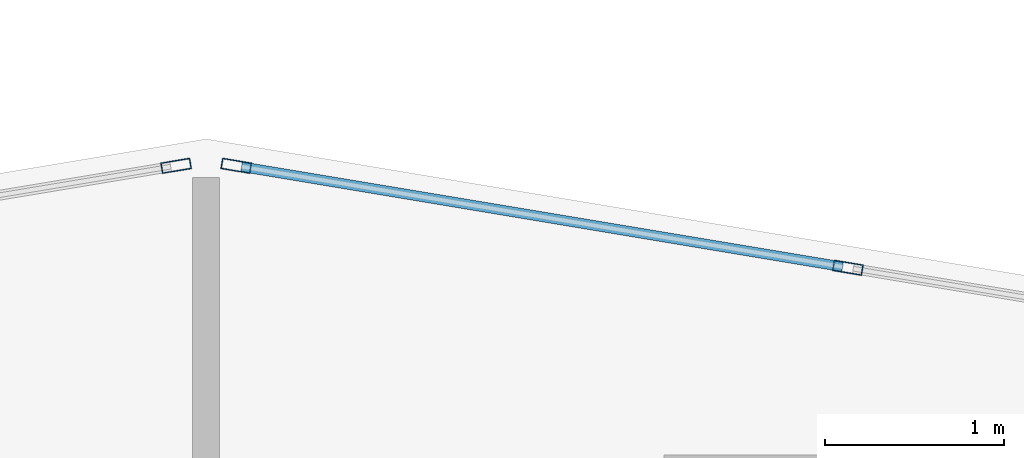
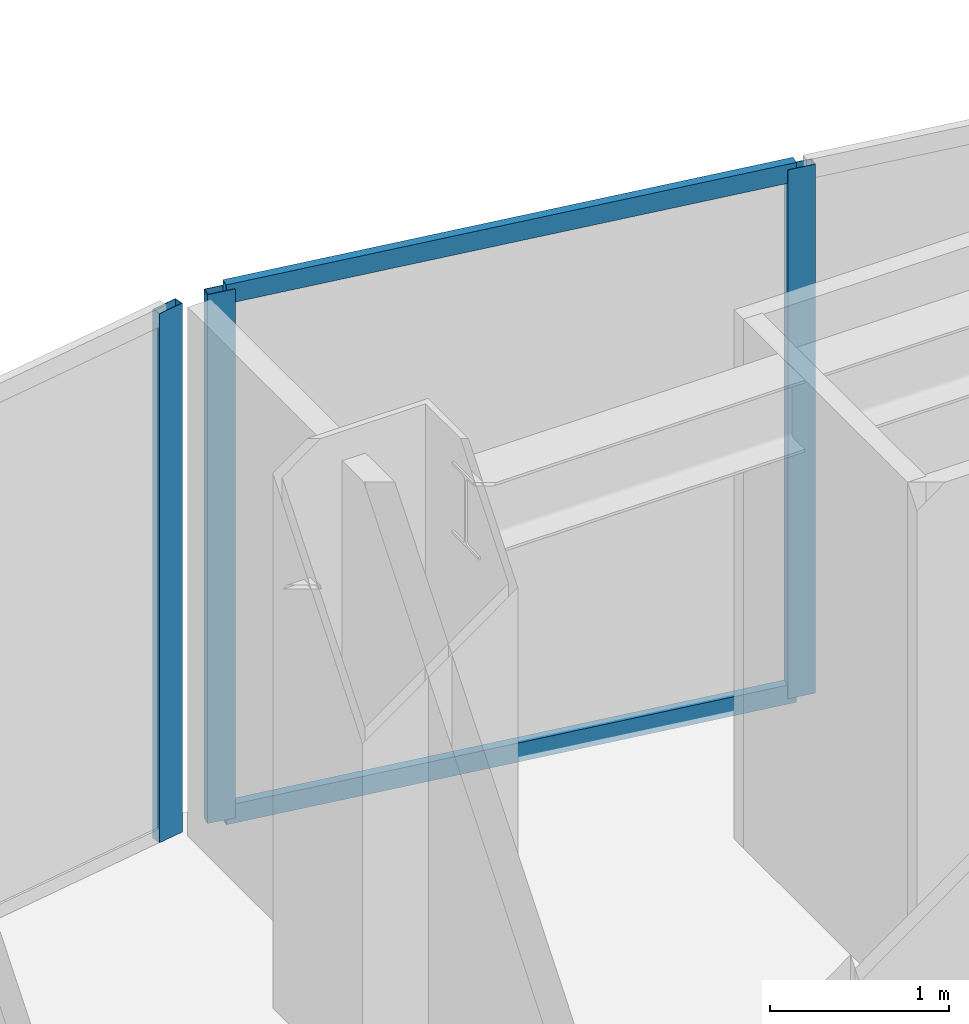
# One storey, part 4 of 20: 5 members, 2 elements without a shape of their own.
"""IFC4 building model written with IfcOpenShell, lengths in metres."""

from ifc_helpers import new_model, si_unit, direction, frame, origin, origin_2d, place, context, subcontext, project, spatial, hollow_rectangle, extrude, material, layer, layer_set, material_profile, profile_set, type_object, element, aggregate, save


model = new_model("IFC4")

# Units and contexts
model_context = context("Model", 3, precision=1e-05, world=origin(), true_north=direction((0.0, 1.0)))
body_context = subcontext(model_context, "Body", "Model", "MODEL_VIEW")
ifc_project = project(units=[si_unit("LENGTHUNIT", "METRE"), si_unit("AREAUNIT", "SQUARE_METRE"), si_unit("VOLUMEUNIT", "CUBIC_METRE"), si_unit("PLANEANGLEUNIT", "RADIAN"), si_unit("MASSUNIT", "GRAM", prefix="KILO")], contexts=[model_context])

# Site, building, storey
site_placement = place(None, origin())
site = spatial("IfcSite", under=ifc_project, at=site_placement, CompositionType="ELEMENT")
building_placement = place(site_placement, origin())
building = spatial("IfcBuilding", under=site, at=building_placement, Name="Haolan Belvedere Tower", CompositionType="ELEMENT")
storey_placement = place(building_placement, frame((0.0, 0.0, 24.0)))
storey = spatial("IfcBuildingStorey", under=building, at=storey_placement, Name="L05", CompositionType="ELEMENT", Elevation=24.0)

# Curtain wall, members
ifc_material_1 = material(Name="Anodised champagne-silver aluminium 6063-T6 and Low-E glass", Category="aluminium")
ifc_layer = layer(ifc_material_1, 0.1650390625, Name="Anodised champagne-silver aluminium 6063-T6 and Low-E glass")
ifc_layer_set = layer_set([ifc_layer], Name="Anodised champagne-silver aluminium 6063-T6 and Low-E glass")
curtain_wall_type = type_object("IfcCurtainWallType", Name="CW-SYS-02", PredefinedType="NOTDEFINED", material=ifc_layer_set)
curtain_wall_1_placement = place(storey_placement, origin())
curtain_wall_1 = element("IfcCurtainWall", 1, at=curtain_wall_1_placement, inside=storey, type_object=curtain_wall_type, Name="L05 CW-SYS-02 ribbon curtain wall 42.1", PredefinedType="NOTDEFINED")
ifc_material_2 = material(Name="Anodised aluminium 6063-T6", Category="aluminium")
ifc_material_profile_1 = material_profile(ifc_material_2, hollow_rectangle(XDim=0.06005859375, YDim=0.1650390625, WallThickness=0.00390625, at=origin_2d()), Name="Anodised aluminium 6063-T6")
ifc_profile_set_1 = profile_set([ifc_material_profile_1], Name="Anodised aluminium 6063-T6")
member_type_1 = type_object("IfcMemberType", Name="CW-SYS-02-MUL", PredefinedType="MULLION", material=ifc_profile_set_1)
member_1_placement = place(storey_placement, frame((41.9755859375, 52.082275390625, 0.0), z_axis=(0.0, 0.0, 1.0), x_axis=(-0.16440364043, -0.9863931483, 0.0)))
member_1 = element("IfcMember", 2, at=member_1_placement, type_object=member_type_1, Name="CW-02 mullion 2", PredefinedType="MULLION", context=body_context, shape_type="SweptSolid", body=[
    extrude(hollow_rectangle(XDim=0.06005859375, YDim=0.1650390625, WallThickness=0.00390625, at=origin_2d()), origin(), (0.0, 0.0, 1.0), 3.60009765625),
])
member_2_placement = place(storey_placement, frame((38.567626953125, 52.650390625, 0.0), z_axis=(0.0, 0.0, 1.0), x_axis=(-0.16440364043, -0.9863931483, 0.0)))
member_2 = element("IfcMember", 3, at=member_2_placement, type_object=member_type_1, Name="CW-02 mullion 3", PredefinedType="MULLION", context=body_context, shape_type="SweptSolid", body=[
    extrude(hollow_rectangle(XDim=0.06005859375, YDim=0.1650390625, WallThickness=0.00390625, at=origin_2d()), origin(), (0.0, 0.0, 1.0), 3.60009765625),
])

# Curtain wall, member
curtain_wall_2_placement = place(storey_placement, origin())
curtain_wall_2 = element("IfcCurtainWall", 4, at=curtain_wall_2_placement, inside=storey, type_object=curtain_wall_type, Name="L05 CW-SYS-02 ribbon curtain wall 43.1", PredefinedType="NOTDEFINED")
member_3_placement = place(storey_placement, frame((38.232421875, 52.650390625, 0.0), z_axis=(0.0, 0.0, 1.0), x_axis=(0.16440364043, -0.9863931483, 0.0)))
member_3 = element("IfcMember", 5, at=member_3_placement, type_object=member_type_1, Name="CW-02 mullion 1", PredefinedType="MULLION", context=body_context, shape_type="SweptSolid", body=[
    extrude(hollow_rectangle(XDim=0.06005859375, YDim=0.1650390625, WallThickness=0.00390625, at=origin_2d()), origin(), (0.0, 0.0, 1.0), 3.60009765625),
])
aggregate(curtain_wall_2, [member_3])

# Member
ifc_material_profile_2 = material_profile(ifc_material_2, hollow_rectangle(XDim=0.054931640625, YDim=0.1298828125, WallThickness=0.00390625, at=origin_2d()), Name="Anodised aluminium 6063-T6")
ifc_profile_set_2 = profile_set([ifc_material_profile_2], Name="Anodised aluminium 6063-T6")
member_type_2 = type_object("IfcMemberType", Name="CW-SYS-02-TRN", PredefinedType="USERDEFINED", material=ifc_profile_set_2)
member_4_placement = place(storey_placement, frame((41.946044921875, 52.08740234375, 0.027587890625), z_axis=(-0.986395867289, 0.164387326137, 0.0), x_axis=(-0.164387326137, -0.986395867289, 0.0)))
member_4 = element("IfcMember", 6, at=member_4_placement, type_object=member_type_2, Name="CW-02 transom 2.1", ObjectType="TRANSOM", PredefinedType="USERDEFINED", context=body_context, shape_type="SweptSolid", body=[
    extrude(hollow_rectangle(XDim=0.054931640625, YDim=0.1298828125, WallThickness=0.00390625, at=origin_2d()), origin(), (0.0, 0.0, 1.0), 3.39501953125),
])

member_5_placement = place(storey_placement, frame((41.946044921875, 52.08740234375, 3.572509765625), z_axis=(-0.986395867289, 0.164387326137, 0.0), x_axis=(-0.164387326137, -0.986395867289, 0.0)))
member_5 = element("IfcMember", 7, at=member_5_placement, type_object=member_type_2, Name="CW-02 transom 2.2", ObjectType="TRANSOM", PredefinedType="USERDEFINED", context=body_context, shape_type="SweptSolid", body=[
    extrude(hollow_rectangle(XDim=0.054931640625, YDim=0.1298828125, WallThickness=0.00390625, at=origin_2d()), origin(), (0.0, 0.0, 1.0), 3.39501953125),
])

aggregate(curtain_wall_1, [member_1, member_2, member_4, member_5])

save(model, "model.ifc")
